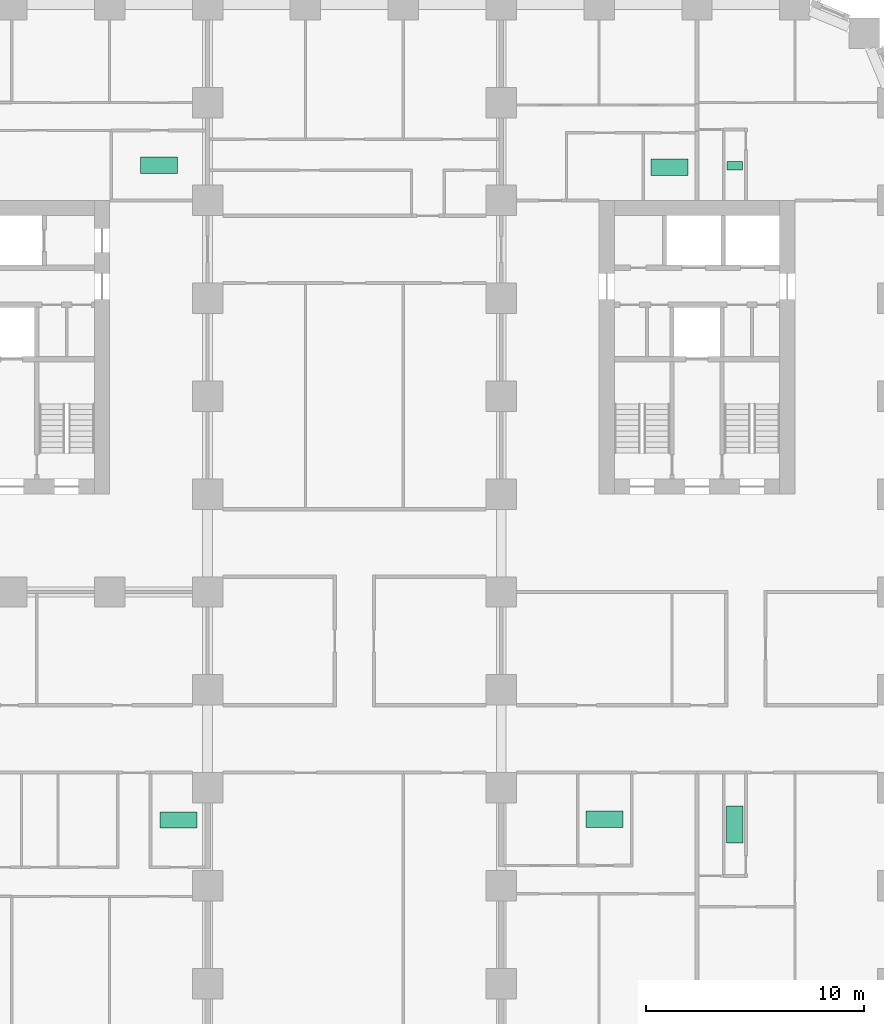
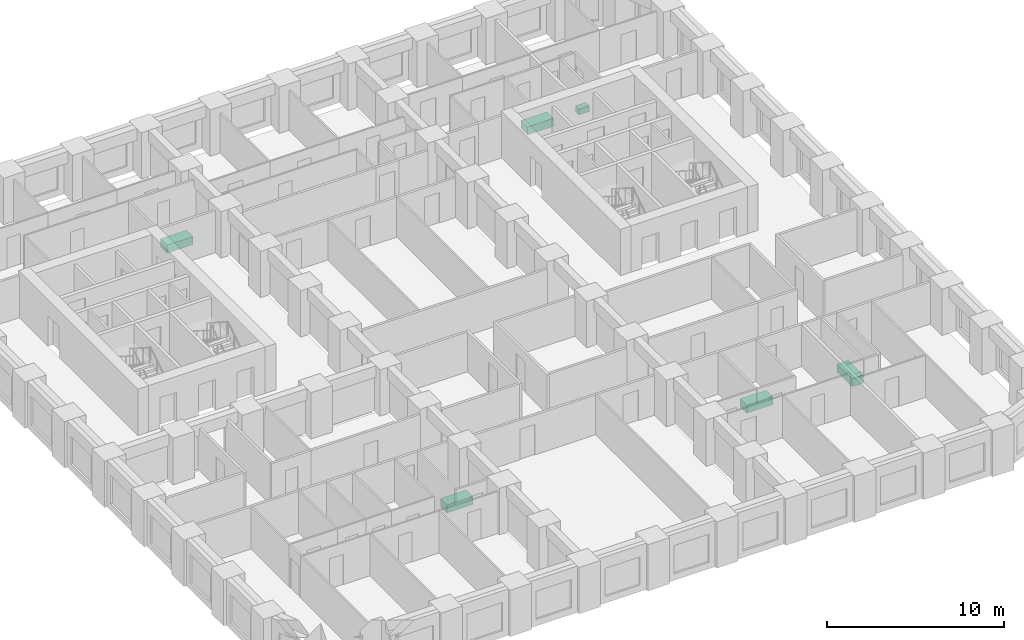
# One storey, part 13 of 13: 6 sanitary terminals.
"""IFC4 building model written with IfcOpenShell, lengths in metres."""

from ifc_helpers import new_model, si_unit, direction, frame, origin, origin_2d, place, context, subcontext, project, spatial, rectangle, extrude, material, type_object, element, save


model = new_model("IFC4")

# Units and contexts
model_context = context("Model", 3, precision=1e-05, world=origin(), true_north=direction((0.0, 1.0)))
body_context = subcontext(model_context, "Body", "Model", "MODEL_VIEW")
ifc_project = project(units=[si_unit("LENGTHUNIT", "METRE"), si_unit("AREAUNIT", "SQUARE_METRE"), si_unit("VOLUMEUNIT", "CUBIC_METRE"), si_unit("PLANEANGLEUNIT", "RADIAN"), si_unit("MASSUNIT", "GRAM", prefix="KILO")], contexts=[model_context])

# Site, building, storey
site_placement = place(None, origin())
site = spatial("IfcSite", under=ifc_project, at=site_placement, CompositionType="ELEMENT")
building_placement = place(site_placement, origin())
building = spatial("IfcBuilding", under=site, at=building_placement, Name="Girih Gate Residences", CompositionType="ELEMENT")
storey_placement = place(building_placement, frame((0.0, 0.0, 40.0)))
storey = spatial("IfcBuildingStorey", under=building, at=storey_placement, Name="L09", CompositionType="ELEMENT", Elevation=40.0)

# Sanitary terminals
ifc_material_1 = material(Name="Acrylic")
sanitary_terminal_type_1 = type_object("IfcSanitaryTerminalType", Name="Bath 1700", PredefinedType="BATH", material=ifc_material_1)
for number, where, z_axis, x_axis, name in (
    (1, (16.656005859375, 12.01904296875, 0.0), (0.0, 0.0, 1.0), (1.0, 0.0, 0.0), "Bath 1700 L09"),
    (2, (15.76806640625, 42.115966796875, 0.0), (0.0, 0.0, 1.0), (1.0, 0.0, 0.0), "Bath 1700 L09"),
):
    element("IfcSanitaryTerminal", number, at=place(storey_placement, frame(where, z_axis=z_axis, x_axis=x_axis)), inside=storey, type_object=sanitary_terminal_type_1, Name=name, PredefinedType="BATH", context=body_context, shape_type="SweptSolid", body=[
        extrude(rectangle(XDim=1.699951171875, YDim=0.75, at=origin_2d()), origin(), (0.0, 0.0, 1.0), 0.550048828125),
    ])
sanitary_terminal_1_placement = place(storey_placement, frame((42.239013671875, 11.819091796875, 0.0), z_axis=(0.0, 0.0, 1.0), x_axis=(1.0, 0.0, 0.0)))
element("IfcSanitaryTerminal", 3, at=sanitary_terminal_1_placement, inside=storey, type_object=sanitary_terminal_type_1, Name="Bath 1700 L09", PredefinedType="BATH", context=body_context, shape_type="SweptSolid", body=[
    extrude(rectangle(XDim=0.75, YDim=1.699951171875, at=origin_2d()), origin(), (0.0, 0.0, 1.0), 0.550048828125),
])
for number, where, z_axis, x_axis, name in (
    (4, (36.258056640625, 12.05908203125, 0.0), (0.0, 0.0, 1.0), (1.0, 0.0, 0.0), "Bath 1700 L09"),
    (5, (39.2451171875, 42.02392578125, 0.0), (0.0, 0.0, 1.0), (1.0, 0.0, 0.0), "Bath 1700 L09"),
):
    element("IfcSanitaryTerminal", number, at=place(storey_placement, frame(where, z_axis=z_axis, x_axis=x_axis)), inside=storey, type_object=sanitary_terminal_type_1, Name=name, PredefinedType="BATH", context=body_context, shape_type="SweptSolid", body=[
        extrude(rectangle(XDim=1.699951171875, YDim=0.75, at=origin_2d()), origin(), (0.0, 0.0, 1.0), 0.550048828125),
    ])
ifc_material_2 = material(Name="Vitreous china")
sanitary_terminal_type_2 = type_object("IfcSanitaryTerminalType", Name="WC pan", PredefinedType="TOILETPAN", material=ifc_material_2)
sanitary_terminal_2_placement = place(storey_placement, frame((42.239013671875, 42.09912109375, 0.0), z_axis=(0.0, 0.0, 1.0), x_axis=(1.0, 0.0, 0.0)))
element("IfcSanitaryTerminal", 6, at=sanitary_terminal_2_placement, inside=storey, type_object=sanitary_terminal_type_2, Name="WC pan L09", PredefinedType="TOILETPAN", context=body_context, shape_type="SweptSolid", body=[
    extrude(rectangle(XDim=0.699951171875, YDim=0.39990234375, at=origin_2d()), origin(), (0.0, 0.0, 1.0), 0.39990234375),
])

save(model, "model.ifc")
